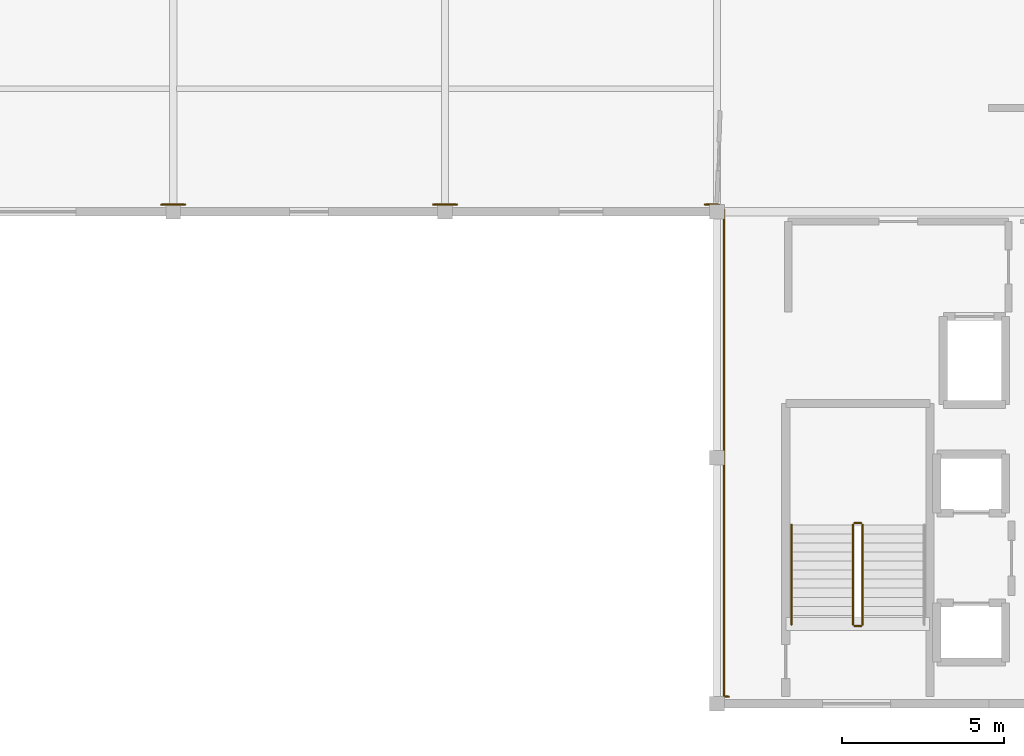
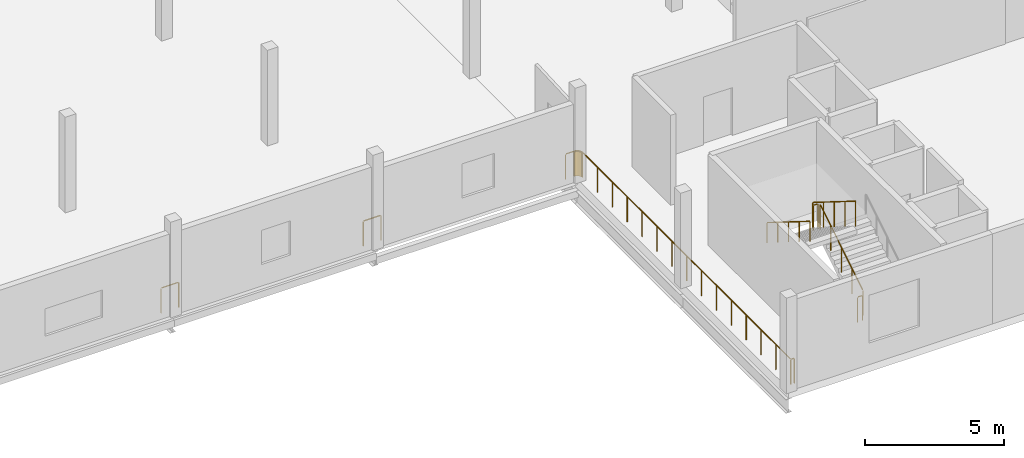
# One storey, part 54 of 57: 8 railings.
"""IFC4 building model written with IfcOpenShell, lengths in metres."""

from ifc_helpers import new_model, si_unit, direction, frame, origin, origin_2d, place, context, subcontext, project, spatial, circle, extrude, material, type_object, element, save


model = new_model("IFC4")

# Units and contexts
model_context = context("Model", 3, precision=1e-05, world=origin(), true_north=direction((0.0, 1.0)))
body_context = subcontext(model_context, "Body", "Model", "MODEL_VIEW")
ifc_project = project(units=[si_unit("LENGTHUNIT", "METRE"), si_unit("AREAUNIT", "SQUARE_METRE"), si_unit("VOLUMEUNIT", "CUBIC_METRE"), si_unit("PLANEANGLEUNIT", "RADIAN"), si_unit("MASSUNIT", "GRAM", prefix="KILO")], contexts=[model_context])

# Site, building, storey
site_placement = place(None, origin())
site = spatial("IfcSite", under=ifc_project, at=site_placement, CompositionType="ELEMENT")
building_placement = place(site_placement, origin())
building = spatial("IfcBuilding", under=site, at=building_placement, Name="Zuvorla Pavilion Media Centre", CompositionType="ELEMENT")
storey_placement = place(building_placement, frame((0.0, 0.0, 18.0)))
storey = spatial("IfcBuildingStorey", under=building, at=storey_placement, Name="L04", CompositionType="ELEMENT", Elevation=18.0)

# Railings
ifc_material_1 = material(Name="Powder-coated steel balustrade guard", Category="steel")
railing_type_1 = type_object("IfcRailingType", Name="RL-INT-GRD", PredefinedType="BALUSTRADE", material=ifc_material_1)
railing_1_placement = place(storey_placement, frame((71.300048828125, 8.449951171875, 0.175048828125)))
element("IfcRailing", 1, at=railing_1_placement, inside=storey, type_object=railing_type_1, Name="L04 ST-01 stair guard 1", PredefinedType="BALUSTRADE", context=body_context, shape_type="SweptSolid", body=[
    extrude(circle(Radius=0.02392578125, at=origin_2d()), frame((0.0, 0.0244140625, 1.111328125), z_axis=(0.0, 0.847998304005, 0.529998940003), x_axis=(-1.0, 0.0, 0.0)), (0.0, 0.0, 1.0), 3.574462890625),
    extrude(circle(Radius=0.02099609375, at=origin_2d()), origin(), (0.0, 0.0, 1.0), 1.070068359375),
    extrude(circle(Radius=0.02099609375, at=origin_2d()), frame((0.0, 0.77001953125, 0.481201171875)), (0.0, 0.0, 1.0), 1.070068359375),
    extrude(circle(Radius=0.02099609375, at=origin_2d()), frame((0.0, 1.5400390625, 0.96240234375)), (0.0, 0.0, 1.0), 1.070068359375),
    extrude(circle(Radius=0.02099609375, at=origin_2d()), frame((0.0, 2.31005859375, 1.44384765625)), (0.0, 0.0, 1.0), 1.070068359375),
    extrude(circle(Radius=0.02099609375, at=origin_2d()), frame((0.0, 3.080078125, 1.925048828125)), (0.0, 0.0, 1.0), 1.070068359375),
])
railing_2_placement = place(storey_placement, frame((71.25, 11.580078125, 2.10009765625)))
element("IfcRailing", 2, at=railing_2_placement, inside=storey, type_object=railing_type_1, Name="L04 ST-01 stair guard 2", PredefinedType="BALUSTRADE", context=body_context, shape_type="SweptSolid", body=[
    extrude(circle(Radius=0.02392578125, at=origin_2d()), frame((-0.02880859375, 0.0, 1.09619140625), z_axis=(-1.0, 0.0, 0.0), x_axis=(0.0, -1.0, 0.0)), (0.0, 0.0, 1.0), 0.142333984375),
    extrude(circle(Radius=0.02099609375, at=origin_2d()), origin(), (0.0, 0.0, 1.0), 1.070068359375),
    extrude(circle(Radius=0.02099609375, at=origin_2d()), frame((-0.199951171875, 0.0, 0.0)), (0.0, 0.0, 1.0), 1.070068359375),
])
railing_3_placement = place(storey_placement, frame((71.0, 11.530029296875, 2.27490234375)))
element("IfcRailing", 3, at=railing_3_placement, inside=storey, type_object=railing_type_1, Name="L04 ST-01 stair guard 3", PredefinedType="BALUSTRADE", context=body_context, shape_type="SweptSolid", body=[
    extrude(circle(Radius=0.02392578125, at=origin_2d()), frame((0.0, -0.0244140625, 1.111328125), z_axis=(0.0, -0.847998304005, 0.529998940003), x_axis=(1.0, 0.0, 0.0)), (0.0, 0.0, 1.0), 3.574462890625),
    extrude(circle(Radius=0.02099609375, at=origin_2d()), origin(), (0.0, 0.0, 1.0), 1.070068359375),
    extrude(circle(Radius=0.02099609375, at=origin_2d()), frame((0.0, -0.77001953125, 0.481201171875)), (0.0, 0.0, 1.0), 1.070068359375),
    extrude(circle(Radius=0.02099609375, at=origin_2d()), frame((0.0, -1.5400390625, 0.96240234375)), (0.0, 0.0, 1.0), 1.070068359375),
    extrude(circle(Radius=0.02099609375, at=origin_2d()), frame((0.0, -2.31005859375, 1.44384765625)), (0.0, 0.0, 1.0), 1.070068359375),
    extrude(circle(Radius=0.02099609375, at=origin_2d()), frame((0.0, -3.080078125, 1.925048828125)), (0.0, 0.0, 1.0), 1.070068359375),
])
railing_4_placement = place(storey_placement, frame((71.25, 8.39990234375, 0.0)))
element("IfcRailing", 4, at=railing_4_placement, inside=storey, type_object=railing_type_1, Name="L04 ST-01 stair guard 4", PredefinedType="BALUSTRADE", context=body_context, shape_type="SweptSolid", body=[
    extrude(circle(Radius=0.02392578125, at=origin_2d()), frame((-0.02880859375, 0.0, 1.09619140625), z_axis=(-1.0, 0.0, 0.0), x_axis=(0.0, -1.0, 0.0)), (0.0, 0.0, 1.0), 0.142333984375),
    extrude(circle(Radius=0.02099609375, at=origin_2d()), origin(), (0.0, 0.0, 1.0), 1.070068359375),
    extrude(circle(Radius=0.02099609375, at=origin_2d()), frame((-0.199951171875, 0.0, 0.0)), (0.0, 0.0, 1.0), 1.070068359375),
])
railing_5_placement = place(storey_placement, frame((67.1650390625, 6.219970703125, 0.0)))
element("IfcRailing", 5, at=railing_5_placement, inside=storey, type_object=railing_type_1, Name="L04 slab edge guard 126", PredefinedType="BALUSTRADE", context=body_context, shape_type="SweptSolid", body=[
    extrude(circle(Radius=0.02392578125, at=origin_2d()), frame((-0.021728515625, 0.0, 1.09619140625), z_axis=(-1.0, 0.0, 0.0), x_axis=(0.0, -1.0, 0.0)), (0.0, 0.0, 1.0), 0.1015625),
    extrude(circle(Radius=0.02392578125, at=origin_2d()), frame((-0.14501953125, 0.02880859375, 1.09619140625), z_axis=(0.0, 1.0, 0.0), x_axis=(-1.0, 0.0, 0.0)), (0.0, 0.0, 1.0), 14.92236328125),
    extrude(circle(Radius=0.02392578125, at=origin_2d()), frame((-0.145263671875, 14.983154296875, 1.09619140625), z_axis=(-0.056091328211, 0.998425642148, 0.0), x_axis=(-0.998425642148, -0.056091328211, 0.0)), (0.0, 0.0, 1.0), 0.02001953125),
    extrude(circle(Radius=0.02392578125, at=origin_2d()), frame((-0.146728515625, 15.0048828125, 1.09619140625), z_axis=(-0.136637397137, 0.990621129243, 0.0), x_axis=(-0.990621129243, -0.136637397137, 0.0)), (0.0, 0.0, 1.0), 0.02001953125),
    extrude(circle(Radius=0.02392578125, at=origin_2d()), frame((-0.14990234375, 15.026123046875, 1.09619140625), z_axis=(-0.247833249983, 0.968802704478, 0.0), x_axis=(-0.968802704478, -0.247833249983, 0.0)), (0.0, 0.0, 1.0), 0.02001953125),
    extrude(circle(Radius=0.02392578125, at=origin_2d()), frame((-0.155517578125, 15.046875, 1.09619140625), z_axis=(-0.329843743632, 0.94403554212, 0.0), x_axis=(-0.94403554212, -0.329843743632, 0.0)), (0.0, 0.0, 1.0), 0.02001953125),
    extrude(circle(Radius=0.02392578125, at=origin_2d()), frame((-0.1630859375, 15.067138671875, 1.09619140625), z_axis=(-0.438202247191, 0.898876404494, 0.0), x_axis=(-0.898876404494, -0.438202247191, 0.0)), (0.0, 0.0, 1.0), 0.02001953125),
    extrude(circle(Radius=0.02392578125, at=origin_2d()), frame((-0.1728515625, 15.08642578125, 1.09619140625), z_axis=(-0.509492006668, 0.860475389039, 0.0), x_axis=(-0.860475389039, -0.509492006668, 0.0)), (0.0, 0.0, 1.0), 0.02001953125),
    extrude(circle(Radius=0.02392578125, at=origin_2d()), frame((-0.18408203125, 15.10498046875, 1.09619140625), z_axis=(-0.590870941899, 0.806766093747, 0.0), x_axis=(-0.806766093747, -0.590870941899, 0.0)), (0.0, 0.0, 1.0), 0.02001953125),
    extrude(circle(Radius=0.02392578125, at=origin_2d()), frame((-0.197021484375, 15.1220703125, 1.09619140625), z_axis=(-0.672672793996, 0.739940073396, 0.0), x_axis=(-0.739940073396, -0.672672793996, 0.0)), (0.0, 0.0, 1.0), 0.02001953125),
    extrude(circle(Radius=0.02392578125, at=origin_2d()), frame((-0.2119140625, 15.137939453125, 1.09619140625), z_axis=(-0.740455314082, 0.672105592782, 0.0), x_axis=(-0.672105592782, -0.740455314082, 0.0)), (0.0, 0.0, 1.0), 0.02001953125),
    extrude(circle(Radius=0.02392578125, at=origin_2d()), frame((-0.22802734375, 15.152099609375, 1.09619140625), z_axis=(-0.8106792284, 0.585490553844, 0.0), x_axis=(-0.585490553844, -0.8106792284, 0.0)), (0.0, 0.0, 1.0), 0.02001953125),
    extrude(circle(Radius=0.02392578125, at=origin_2d()), frame((-0.24560546875, 15.16455078125, 1.09619140625), z_axis=(-0.852437859071, 0.522828553564, 0.0), x_axis=(-0.522828553564, -0.852437859071, 0.0)), (0.0, 0.0, 1.0), 0.02001953125),
    extrude(circle(Radius=0.02392578125, at=origin_2d()), frame((-0.26416015625, 15.175537109375, 1.09619140625), z_axis=(-0.903277504354, 0.429056814568, 0.0), x_axis=(-0.429056814568, -0.903277504354, 0.0)), (0.0, 0.0, 1.0), 0.02001953125),
    extrude(circle(Radius=0.02392578125, at=origin_2d()), frame((-0.28369140625, 15.184326171875, 1.09619140625), z_axis=(-0.94403554212, 0.329843743632, 0.0), x_axis=(-0.329843743632, -0.94403554212, 0.0)), (0.0, 0.0, 1.0), 0.02001953125),
    extrude(circle(Radius=0.02392578125, at=origin_2d()), frame((-0.30419921875, 15.191162109375, 1.09619140625), z_axis=(-0.968802704478, 0.247833249983, 0.0), x_axis=(-0.247833249983, -0.968802704478, 0.0)), (0.0, 0.0, 1.0), 0.02001953125),
    extrude(circle(Radius=0.02392578125, at=origin_2d()), frame((-0.3251953125, 15.1962890625, 1.09619140625), z_axis=(-0.989263736218, 0.146141233759, 0.0), x_axis=(-0.146141233759, -0.989263736218, 0.0)), (0.0, 0.0, 1.0), 0.02001953125),
    extrude(circle(Radius=0.02392578125, at=origin_2d()), frame((-0.3466796875, 15.19921875, 1.09619140625), z_axis=(-0.99896854021, 0.045407660919, 0.0), x_axis=(-0.045407660919, -0.99896854021, 0.0)), (0.0, 0.0, 1.0), 0.02001953125),
    extrude(circle(Radius=0.02392578125, at=origin_2d()), frame((-0.393798828125, 15.199951171875, 1.09619140625), z_axis=(-1.0, 0.0, 0.0), x_axis=(0.0, -1.0, 0.0)), (0.0, 0.0, 1.0), 0.307373046875),
    extrude(circle(Radius=0.02099609375, at=origin_2d()), origin(), (0.0, 0.0, 1.0), 1.070068359375),
    extrude(circle(Radius=0.02099609375, at=origin_2d()), frame((-0.14501953125, 0.0, 0.0)), (0.0, 0.0, 1.0), 1.070068359375),
    extrude(circle(Radius=0.02099609375, at=origin_2d()), frame((-0.14501953125, 1.070068359375, 0.0)), (0.0, 0.0, 1.0), 1.070068359375),
    extrude(circle(Radius=0.02099609375, at=origin_2d()), frame((-0.14501953125, 2.139892578125, 0.0)), (0.0, 0.0, 1.0), 1.070068359375),
    extrude(circle(Radius=0.02099609375, at=origin_2d()), frame((-0.14501953125, 3.2099609375, 0.0)), (0.0, 0.0, 1.0), 1.070068359375),
    extrude(circle(Radius=0.02099609375, at=origin_2d()), frame((-0.14501953125, 4.280029296875, 0.0)), (0.0, 0.0, 1.0), 1.070068359375),
    extrude(circle(Radius=0.02099609375, at=origin_2d()), frame((-0.14501953125, 5.35009765625, 0.0)), (0.0, 0.0, 1.0), 1.070068359375),
    extrude(circle(Radius=0.02099609375, at=origin_2d()), frame((-0.14501953125, 6.419921875, 0.0)), (0.0, 0.0, 1.0), 1.070068359375),
    extrude(circle(Radius=0.02099609375, at=origin_2d()), frame((-0.14501953125, 7.489990234375, 0.0)), (0.0, 0.0, 1.0), 1.070068359375),
    extrude(circle(Radius=0.02099609375, at=origin_2d()), frame((-0.14501953125, 8.56005859375, 0.0)), (0.0, 0.0, 1.0), 1.070068359375),
    extrude(circle(Radius=0.02099609375, at=origin_2d()), frame((-0.14501953125, 9.6298828125, 0.0)), (0.0, 0.0, 1.0), 1.070068359375),
    extrude(circle(Radius=0.02099609375, at=origin_2d()), frame((-0.14501953125, 10.699951171875, 0.0)), (0.0, 0.0, 1.0), 1.070068359375),
    extrude(circle(Radius=0.02099609375, at=origin_2d()), frame((-0.14501953125, 11.77001953125, 0.0)), (0.0, 0.0, 1.0), 1.070068359375),
    extrude(circle(Radius=0.02099609375, at=origin_2d()), frame((-0.14501953125, 12.840087890625, 0.0)), (0.0, 0.0, 1.0), 1.070068359375),
    extrude(circle(Radius=0.02099609375, at=origin_2d()), frame((-0.14501953125, 13.909912109375, 0.0)), (0.0, 0.0, 1.0), 1.070068359375),
    extrude(circle(Radius=0.02099609375, at=origin_2d()), frame((-0.14501953125, 14.97998046875, 0.0)), (0.0, 0.0, 1.0), 1.070068359375),
    extrude(circle(Radius=0.02099609375, at=origin_2d()), frame((-0.146240234375, 15.001708984375, 0.0)), (0.0, 0.0, 1.0), 1.070068359375),
    extrude(circle(Radius=0.02099609375, at=origin_2d()), frame((-0.149169921875, 15.02294921875, 0.0)), (0.0, 0.0, 1.0), 1.070068359375),
    extrude(circle(Radius=0.02099609375, at=origin_2d()), frame((-0.154541015625, 15.0439453125, 0.0)), (0.0, 0.0, 1.0), 1.070068359375),
    extrude(circle(Radius=0.02099609375, at=origin_2d()), frame((-0.16162109375, 15.064208984375, 0.0)), (0.0, 0.0, 1.0), 1.070068359375),
    extrude(circle(Radius=0.02099609375, at=origin_2d()), frame((-0.171142578125, 15.083740234375, 0.0)), (0.0, 0.0, 1.0), 1.070068359375),
    extrude(circle(Radius=0.02099609375, at=origin_2d()), frame((-0.18212890625, 15.102294921875, 0.0)), (0.0, 0.0, 1.0), 1.070068359375),
    extrude(circle(Radius=0.02099609375, at=origin_2d()), frame((-0.19482421875, 15.11962890625, 0.0)), (0.0, 0.0, 1.0), 1.070068359375),
    extrude(circle(Radius=0.02099609375, at=origin_2d()), frame((-0.20947265625, 15.1357421875, 0.0)), (0.0, 0.0, 1.0), 1.070068359375),
    extrude(circle(Radius=0.02099609375, at=origin_2d()), frame((-0.225341796875, 15.150146484375, 0.0)), (0.0, 0.0, 1.0), 1.070068359375),
    extrude(circle(Radius=0.02099609375, at=origin_2d()), frame((-0.242919921875, 15.162841796875, 0.0)), (0.0, 0.0, 1.0), 1.070068359375),
    extrude(circle(Radius=0.02099609375, at=origin_2d()), frame((-0.26123046875, 15.174072265625, 0.0)), (0.0, 0.0, 1.0), 1.070068359375),
    extrude(circle(Radius=0.02099609375, at=origin_2d()), frame((-0.28076171875, 15.183349609375, 0.0)), (0.0, 0.0, 1.0), 1.070068359375),
    extrude(circle(Radius=0.02099609375, at=origin_2d()), frame((-0.301025390625, 15.1904296875, 0.0)), (0.0, 0.0, 1.0), 1.070068359375),
    extrude(circle(Radius=0.02099609375, at=origin_2d()), frame((-0.322021484375, 15.19580078125, 0.0)), (0.0, 0.0, 1.0), 1.070068359375),
    extrude(circle(Radius=0.02099609375, at=origin_2d()), frame((-0.343505859375, 15.198974609375, 0.0)), (0.0, 0.0, 1.0), 1.070068359375),
    extrude(circle(Radius=0.02099609375, at=origin_2d()), frame((-0.364990234375, 15.199951171875, 0.0)), (0.0, 0.0, 1.0), 1.070068359375),
    extrude(circle(Radius=0.02099609375, at=origin_2d()), frame((-0.72998046875, 15.199951171875, 0.0)), (0.0, 0.0, 1.0), 1.070068359375),
])
for number, where, name in (
    (6, (58.764892578125, 21.419921875, 0.0), "L04 slab edge guard 127"),
    (7, (50.364990234375, 21.419921875, 0.0), "L04 slab edge guard 128"),
):
    element("IfcRailing", number, at=place(storey_placement, frame(where)), inside=storey, type_object=railing_type_1, Name=name, PredefinedType="BALUSTRADE", context=body_context, shape_type="SweptSolid", body=[
        extrude(circle(Radius=0.02392578125, at=origin_2d()), frame((-0.02880859375, 0.0, 1.09619140625), z_axis=(-1.0, 0.0, 0.0), x_axis=(0.0, -1.0, 0.0)), (0.0, 0.0, 1.0), 0.67236328125),
        extrude(circle(Radius=0.02099609375, at=origin_2d()), origin(), (0.0, 0.0, 1.0), 1.070068359375),
        extrude(circle(Radius=0.02099609375, at=origin_2d()), frame((-0.72998046875, 0.0, 0.0)), (0.0, 0.0, 1.0), 1.070068359375),
    ])
ifc_material_2 = material(Name="Brushed stainless steel tubular handrail", Category="steel")
railing_type_2 = type_object("IfcRailingType", Name="RL-INT-HND", PredefinedType="HANDRAIL", material=ifc_material_2)
railing_6_placement = place(storey_placement, frame((69.10009765625, 11.530029296875, 2.27490234375)))
element("IfcRailing", 8, at=railing_6_placement, inside=storey, type_object=railing_type_2, Name="L04 ST-01 handrail 2", PredefinedType="HANDRAIL", context=body_context, shape_type="SweptSolid", body=[
    extrude(circle(Radius=0.02392578125, at=origin_2d()), frame((0.0, -0.0244140625, 0.89111328125), z_axis=(0.0, -0.847998304005, 0.529998940003), x_axis=(1.0, 0.0, 0.0)), (0.0, 0.0, 1.0), 3.574462890625),
    extrude(circle(Radius=0.02099609375, at=origin_2d()), origin(), (0.0, 0.0, 1.0), 0.849853515625),
    extrude(circle(Radius=0.02099609375, at=origin_2d()), frame((0.0, -0.77001953125, 0.481201171875)), (0.0, 0.0, 1.0), 0.849853515625),
    extrude(circle(Radius=0.02099609375, at=origin_2d()), frame((0.0, -1.5400390625, 0.96240234375)), (0.0, 0.0, 1.0), 0.849853515625),
    extrude(circle(Radius=0.02099609375, at=origin_2d()), frame((0.0, -2.31005859375, 1.44384765625)), (0.0, 0.0, 1.0), 0.849853515625),
    extrude(circle(Radius=0.02099609375, at=origin_2d()), frame((0.0, -3.080078125, 1.925048828125)), (0.0, 0.0, 1.0), 0.849853515625),
])

save(model, "model.ifc")
